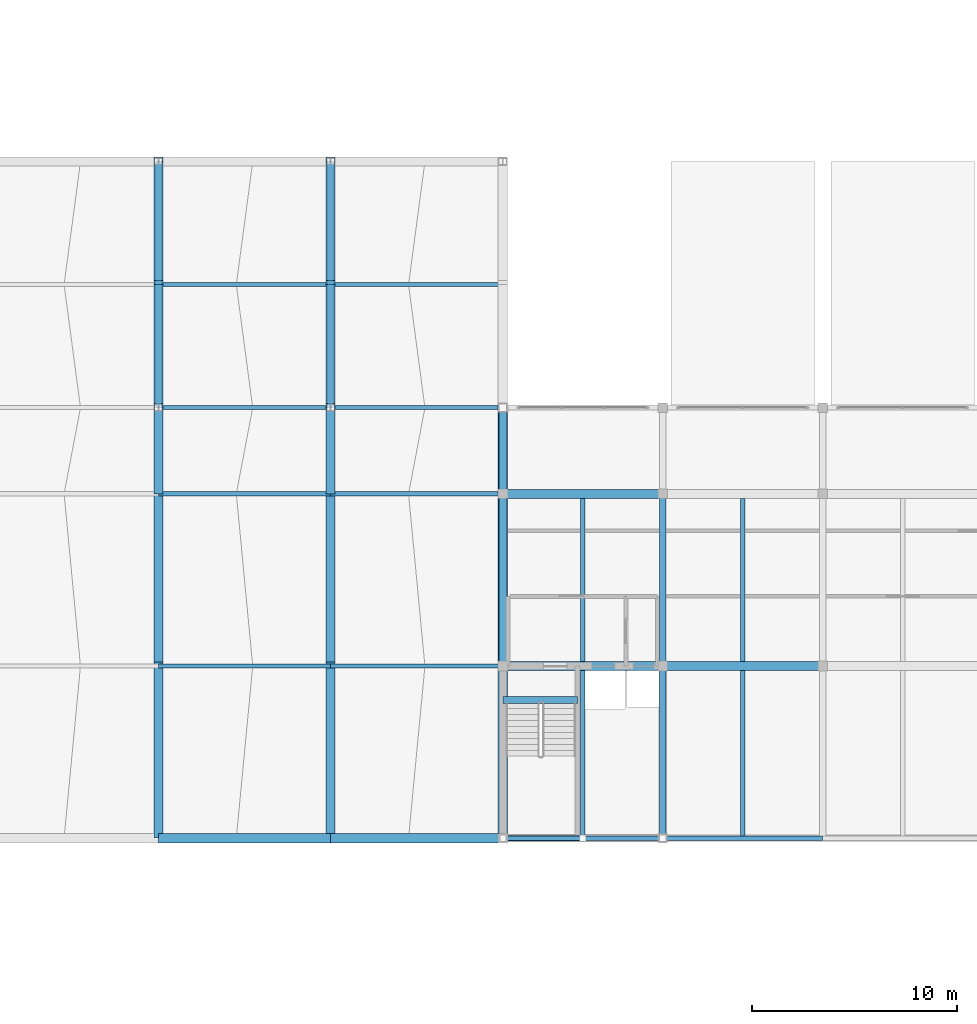
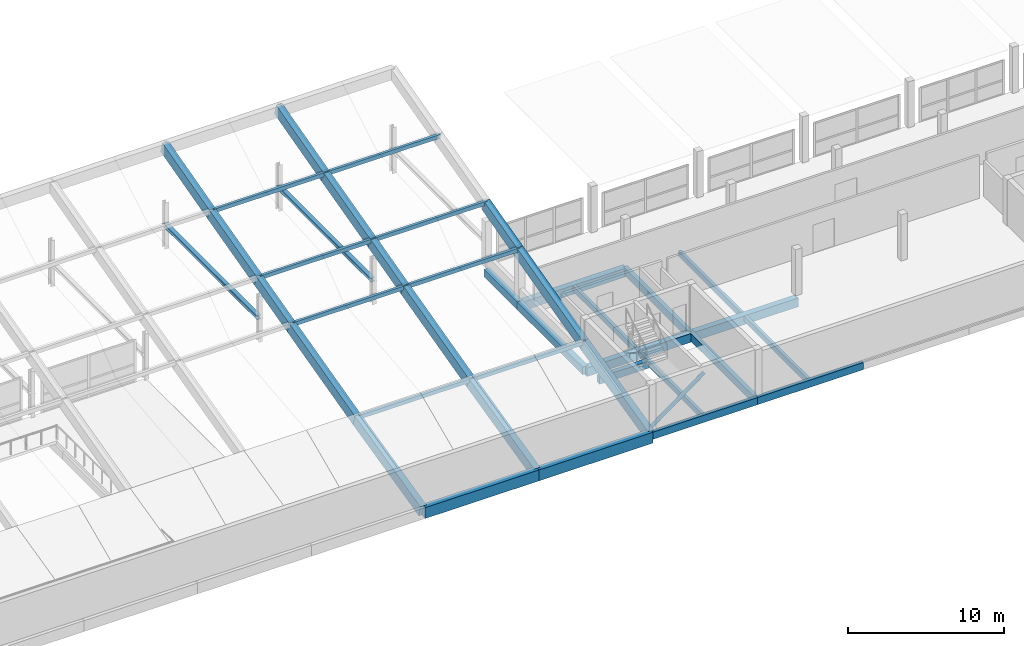
# One storey, part 28 of 51: 29 beams, 11 members.
"""IFC4 building model written with IfcOpenShell, lengths in metres."""

from ifc_helpers import new_model, si_unit, direction, frame, origin, origin_2d, place, context, subcontext, project, spatial, rectangle, hollow_rectangle, hollow_circle, i_section, extrude, material, material_profile, profile_set, type_object, element, save


model = new_model("IFC4")

# Units and contexts
model_context = context("Model", 3, precision=1e-05, world=origin(), true_north=direction((0.0, 1.0)))
body_context = subcontext(model_context, "Body", "Model", "MODEL_VIEW")
ifc_project = project(units=[si_unit("LENGTHUNIT", "METRE"), si_unit("AREAUNIT", "SQUARE_METRE"), si_unit("VOLUMEUNIT", "CUBIC_METRE"), si_unit("PLANEANGLEUNIT", "RADIAN"), si_unit("MASSUNIT", "GRAM", prefix="KILO")], contexts=[model_context])

# Site, building, storey
site_placement = place(None, origin())
site = spatial("IfcSite", under=ifc_project, at=site_placement, CompositionType="ELEMENT")
building_placement = place(site_placement, origin())
building = spatial("IfcBuilding", under=site, at=building_placement, Name="Vharandega Faculty of Natural Sciences", CompositionType="ELEMENT")
storey_placement = place(building_placement, frame((0.0, 0.0, 18.0)))
storey = spatial("IfcBuildingStorey", under=building, at=storey_placement, Name="L04", CompositionType="ELEMENT", Elevation=18.0)

# Beams
ifc_material_1 = material(Name="Glulam GL28h", Category="wood")
ifc_material_profile_1 = material_profile(ifc_material_1, rectangle(XDim=0.300048828125, YDim=0.60009765625, at=origin_2d()), Name="GL28h 300x600")
ifc_profile_set_1 = profile_set([ifc_material_profile_1], Name="Glulam GL28h")
beam_type_1 = type_object("IfcBeamType", Name="Glulam Floor Beam 300x600", PredefinedType="BEAM", material=ifc_profile_set_1)
beam_1_placement = place(storey_placement, frame((122.60009765625, 64.0, -0.5400390625), z_axis=(0.0, 1.0, 0.0), x_axis=(-1.0, 0.0, 0.0)))
element("IfcBeam", 1, at=beam_1_placement, inside=storey, type_object=beam_type_1, Name="Beam L04 16/J-K", PredefinedType="BEAM", context=body_context, shape_type="SweptSolid", body=[
    extrude(rectangle(XDim=0.300048828125, YDim=0.60009765625, at=origin_2d()), origin(), (0.0, 0.0, 1.0), 8.39990234375),
])
beam_2_placement = place(storey_placement, frame((122.60009765625, 72.39990234375, -0.5400390625), z_axis=(0.0, 1.0, 0.0), x_axis=(-1.0, 0.0, 0.0)))
element("IfcBeam", 2, at=beam_2_placement, inside=storey, type_object=beam_type_1, Name="Beam L04 16/K-L", PredefinedType="BEAM", context=body_context, shape_type="SweptSolid", body=[
    extrude(rectangle(XDim=0.300048828125, YDim=0.60009765625, at=origin_2d()), origin(), (0.0, 0.0, 1.0), 8.400146484375),
])
ifc_material_2 = material(Name="Glulam GL32h", Category="wood")
ifc_material_profile_2 = material_profile(ifc_material_2, rectangle(XDim=0.43994140625, YDim=0.679931640625, at=origin_2d()), Name="GL32h 440x680")
ifc_profile_set_2 = profile_set([ifc_material_profile_2], Name="Glulam GL32h")
beam_type_2 = type_object("IfcBeamType", Name="Glulam Girder 440x680", PredefinedType="BEAM", material=ifc_profile_set_2)
beam_3_placement = place(storey_placement, frame((114.800048828125, 72.39990234375, -0.580078125), z_axis=(1.0, 0.0, 0.0), x_axis=(0.0, 1.0, 0.0)))
element("IfcBeam", 3, at=beam_3_placement, inside=storey, type_object=beam_type_2, Name="Beam L04 K/15-16", PredefinedType="BEAM", context=body_context, shape_type="SweptSolid", body=[
    extrude(rectangle(XDim=0.43994140625, YDim=0.679931640625, at=origin_2d()), origin(), (0.0, 0.0, 1.0), 7.800048828125),
])
beam_4_placement = place(storey_placement, frame((122.60009765625, 72.39990234375, -0.580078125), z_axis=(1.0, 0.0, 0.0), x_axis=(0.0, 1.0, 0.0)))
element("IfcBeam", 4, at=beam_4_placement, inside=storey, type_object=beam_type_2, Name="Beam L04 K/16-17", PredefinedType="BEAM", context=body_context, shape_type="SweptSolid", body=[
    extrude(rectangle(XDim=0.43994140625, YDim=0.679931640625, at=origin_2d()), origin(), (0.0, 0.0, 1.0), 7.7998046875),
])
beam_5_placement = place(storey_placement, frame((114.800048828125, 80.800048828125, -0.580078125), z_axis=(1.0, 0.0, 0.0), x_axis=(0.0, 1.0, 0.0)))
element("IfcBeam", 5, at=beam_5_placement, inside=storey, type_object=beam_type_2, Name="Beam L04 L/15-16", PredefinedType="BEAM", context=body_context, shape_type="SweptSolid", body=[
    extrude(rectangle(XDim=0.43994140625, YDim=0.679931640625, at=origin_2d()), origin(), (0.0, 0.0, 1.0), 7.800048828125),
])
ifc_material_3 = material(Name="Glulam GL28h", Category="wood")
ifc_material_profile_3 = material_profile(ifc_material_3, rectangle(XDim=0.219970703125, YDim=0.43994140625, at=origin_2d()), Name="GL28h 220x440")
ifc_profile_set_3 = profile_set([ifc_material_profile_3], Name="Glulam GL28h")
beam_type_3 = type_object("IfcBeamType", Name="Glulam Secondary Joist 220x440", PredefinedType="JOIST", material=ifc_profile_set_3)
beam_6_placement = place(storey_placement, frame((118.699951171875, 64.1201171875, -0.4599609375), z_axis=(0.0, 1.0, 0.0), x_axis=(-1.0, 0.0, 0.0)))
element("IfcBeam", 6, at=beam_6_placement, inside=storey, type_object=beam_type_3, Name="Secondary Joist L04 15-16/J-K", PredefinedType="JOIST", context=body_context, shape_type="SweptSolid", body=[
    extrude(rectangle(XDim=0.219970703125, YDim=0.43994140625, at=origin_2d()), origin(), (0.0, 0.0, 1.0), 8.059814453125),
])
beam_7_placement = place(storey_placement, frame((118.699951171875, 72.6201171875, -0.4599609375), z_axis=(0.0, 1.0, 0.0), x_axis=(-1.0, 0.0, 0.0)))
element("IfcBeam", 7, at=beam_7_placement, inside=storey, type_object=beam_type_3, Name="Secondary Joist L04 15-16/K-L", PredefinedType="JOIST", context=body_context, shape_type="SweptSolid", body=[
    extrude(rectangle(XDim=0.219970703125, YDim=0.43994140625, at=origin_2d()), origin(), (0.0, 0.0, 1.0), 7.9599609375),
])
beam_8_placement = place(storey_placement, frame((126.5, 64.1201171875, -0.4599609375), z_axis=(0.0, 1.0, 0.0), x_axis=(-1.0, 0.0, 0.0)))
element("IfcBeam", 8, at=beam_8_placement, inside=storey, type_object=beam_type_3, Name="Secondary Joist L04 16-17/J-K", PredefinedType="JOIST", context=body_context, shape_type="SweptSolid", body=[
    extrude(rectangle(XDim=0.219970703125, YDim=0.43994140625, at=origin_2d()), origin(), (0.0, 0.0, 1.0), 8.059814453125),
])
beam_9_placement = place(storey_placement, frame((126.5, 72.6201171875, -0.4599609375), z_axis=(0.0, 1.0, 0.0), x_axis=(-1.0, 0.0, 0.0)))
element("IfcBeam", 9, at=beam_9_placement, inside=storey, type_object=beam_type_3, Name="Secondary Joist L04 16-17/K-L", PredefinedType="JOIST", context=body_context, shape_type="SweptSolid", body=[
    extrude(rectangle(XDim=0.219970703125, YDim=0.43994140625, at=origin_2d()), origin(), (0.0, 0.0, 1.0), 7.9599609375),
])
ifc_material_4 = material(Name="Glulam GL28h", Category="wood")
ifc_material_profile_4 = material_profile(ifc_material_4, rectangle(XDim=0.239990234375, YDim=0.56005859375, at=origin_2d()), Name="GL28h 240x560")
ifc_profile_set_4 = profile_set([ifc_material_profile_4], Name="Glulam GL28h")
beam_type_4 = type_object("IfcBeamType", Name="Glulam Spandrel Edge Beam 240x560", PredefinedType="SPANDREL", material=ifc_profile_set_4)
beam_10_placement = place(storey_placement, frame((114.800048828125, 64.0, -0.52001953125), z_axis=(1.0, 0.0, 0.0), x_axis=(0.0, 1.0, 0.0)))
element("IfcBeam", 10, at=beam_10_placement, inside=storey, type_object=beam_type_4, Name="Beam L04 J/15-16", PredefinedType="SPANDREL", context=body_context, shape_type="SweptSolid", body=[
    extrude(rectangle(XDim=0.239990234375, YDim=0.56005859375, at=origin_2d()), origin(), (0.0, 0.0, 1.0), 7.800048828125),
])
beam_11_placement = place(storey_placement, frame((122.60009765625, 64.0, -0.52001953125), z_axis=(1.0, 0.0, 0.0), x_axis=(0.0, 1.0, 0.0)))
element("IfcBeam", 11, at=beam_11_placement, inside=storey, type_object=beam_type_4, Name="Beam L04 J/16-17", PredefinedType="SPANDREL", context=body_context, shape_type="SweptSolid", body=[
    extrude(rectangle(XDim=0.239990234375, YDim=0.56005859375, at=origin_2d()), origin(), (0.0, 0.0, 1.0), 7.7998046875),
])
ifc_material_5 = material(Name="Glulam GL32h", Category="wood")
ifc_material_profile_5 = material_profile(ifc_material_5, rectangle(XDim=0.39990234375, YDim=0.60009765625, at=origin_2d()), Name="GL32h 400x600")
ifc_profile_set_5 = profile_set([ifc_material_profile_5], Name="Glulam GL32h")
beam_type_5 = type_object("IfcBeamType", Name="Glulam Spine Girder 400x600", PredefinedType="BEAM", material=ifc_profile_set_5)
beam_12_placement = place(storey_placement, frame((114.800048828125, 72.39990234375, -0.5400390625), z_axis=(0.0, 1.0, 0.0), x_axis=(-1.0, 0.0, 0.0)))
element("IfcBeam", 12, at=beam_12_placement, inside=storey, type_object=beam_type_5, Name="Beam L04 15/K-L", PredefinedType="BEAM", context=body_context, shape_type="SweptSolid", body=[
    extrude(rectangle(XDim=0.39990234375, YDim=0.60009765625, at=origin_2d()), origin(), (0.0, 0.0, 1.0), 8.400146484375),
])
beam_13_placement = place(storey_placement, frame((114.800048828125, 80.800048828125, -0.5400390625), z_axis=(0.0, 1.0, 0.0), x_axis=(-1.0, 0.0, 0.0)))
element("IfcBeam", 13, at=beam_13_placement, inside=storey, type_object=beam_type_5, Name="Beam L04 15/L-M", PredefinedType="BEAM", context=body_context, shape_type="SweptSolid", body=[
    extrude(rectangle(XDim=0.39990234375, YDim=0.60009765625, at=origin_2d()), origin(), (0.0, 0.0, 1.0), 4.199951171875),
])

# Member
ifc_material_6 = material(Name="Steel S355", Category="steel")
ifc_material_profile_6 = material_profile(ifc_material_6, hollow_circle(Radius=0.136474609375, WallThickness=0.01611328125, at=origin_2d()), Name="CHS 273x16")
ifc_profile_set_6 = profile_set([ifc_material_profile_6], Name="Steel S355")
member_type_1 = type_object("IfcMemberType", Name="Perimeter Chevron Brace CHS 273", PredefinedType="BRACE", material=ifc_profile_set_6)
member_placement = place(storey_placement, frame((114.800048828125, 64.0, 0.14990234375), z_axis=(0.806387341652, 0.0, 0.591387736788), x_axis=(0.0, 1.0, 0.0)))
element("IfcMember", 14, at=member_placement, inside=storey, type_object=member_type_1, Name="Chevron Brace J L04-1", PredefinedType="BRACE", context=body_context, shape_type="SweptSolid", body=[
    extrude(hollow_circle(Radius=0.136474609375, WallThickness=0.01611328125, at=origin_2d()), origin(), (0.0, 0.0, 1.0), 4.836181640625),
])

# Beams
ifc_material_7 = material(Name="Concrete C40/50", Category="concrete")
ifc_material_profile_7 = material_profile(ifc_material_7, rectangle(XDim=0.449951171875, YDim=0.85009765625, at=origin_2d()), Name="RC 450x850")
ifc_profile_set_7 = profile_set([ifc_material_profile_7], Name="Concrete C40/50")
beam_type_6 = type_object("IfcBeamType", Name="Shell Arch Rib Beam 450x850", PredefinedType="BEAM", material=ifc_profile_set_7)
beam_14_placement = place(storey_placement, frame((98.0, 64.098388671875, -0.573486328125), z_axis=(0.0, 0.97280712477, 0.231616704918), x_axis=(-1.0, 0.0, 0.0)))
element("IfcBeam", 15, at=beam_14_placement, inside=storey, type_object=beam_type_6, Name="Conoidal Shell Arch Rib 13-1", PredefinedType="BEAM", context=body_context, shape_type="SweptSolid", body=[
    extrude(rectangle(XDim=0.449951171875, YDim=0.85009765625, at=origin_2d()), origin(), (0.0, 0.0, 1.0), 8.635009765625),
])
beam_15_placement = place(storey_placement, frame((98.0, 72.50537109375, 1.42822265625), z_axis=(0.0, 0.968765746735, 0.247977676321), x_axis=(-1.0, 0.0, 0.0)))
element("IfcBeam", 16, at=beam_15_placement, inside=storey, type_object=beam_type_6, Name="Conoidal Shell Arch Rib 13-2", PredefinedType="BEAM", context=body_context, shape_type="SweptSolid", body=[
    extrude(rectangle(XDim=0.449951171875, YDim=0.85009765625, at=origin_2d()), origin(), (0.0, 0.0, 1.0), 8.670654296875),
])
beam_16_placement = place(storey_placement, frame((98.0, 80.90771484375, 3.578857421875), z_axis=(0.0, 0.967365988301, 0.253383197308), x_axis=(-1.0, 0.0, 0.0)))
element("IfcBeam", 17, at=beam_16_placement, inside=storey, type_object=beam_type_6, Name="Conoidal Shell Arch Rib 13-3", PredefinedType="BEAM", context=body_context, shape_type="SweptSolid", body=[
    extrude(rectangle(XDim=0.449951171875, YDim=0.85009765625, at=origin_2d()), origin(), (0.0, 0.0, 1.0), 4.341552734375),
])
beam_17_placement = place(storey_placement, frame((98.0, 85.106201171875, 4.678466796875), z_axis=(0.0, 0.968212411492, 0.250129418968), x_axis=(-1.0, 0.0, 0.0)))
element("IfcBeam", 18, at=beam_17_placement, inside=storey, type_object=beam_type_6, Name="Conoidal Shell Arch Rib 13-4", PredefinedType="BEAM", context=body_context, shape_type="SweptSolid", body=[
    extrude(rectangle(XDim=0.449951171875, YDim=0.85009765625, at=origin_2d()), origin(), (0.0, 0.0, 1.0), 6.197021484375),
])
beam_18_placement = place(storey_placement, frame((98.0, 91.109619140625, 6.229248046875), z_axis=(0.0, 0.966231024199, 0.25767733287), x_axis=(-1.0, 0.0, 0.0)))
element("IfcBeam", 19, at=beam_18_placement, inside=storey, type_object=beam_type_6, Name="Conoidal Shell Arch Rib 13-5", PredefinedType="BEAM", context=body_context, shape_type="SweptSolid", body=[
    extrude(rectangle(XDim=0.449951171875, YDim=0.85009765625, at=origin_2d()), origin(), (0.0, 0.0, 1.0), 6.209716796875),
])
beam_19_placement = place(storey_placement, frame((106.39990234375, 64.098388671875, -0.573486328125), z_axis=(0.0, 0.97280712477, 0.231616704918), x_axis=(-1.0, 0.0, 0.0)))
element("IfcBeam", 20, at=beam_19_placement, inside=storey, type_object=beam_type_6, Name="Conoidal Shell Arch Rib 14-1", PredefinedType="BEAM", context=body_context, shape_type="SweptSolid", body=[
    extrude(rectangle(XDim=0.449951171875, YDim=0.85009765625, at=origin_2d()), origin(), (0.0, 0.0, 1.0), 8.635009765625),
])
beam_20_placement = place(storey_placement, frame((106.39990234375, 72.50537109375, 1.42822265625), z_axis=(0.0, 0.968765746735, 0.247977676321), x_axis=(-1.0, 0.0, 0.0)))
element("IfcBeam", 21, at=beam_20_placement, inside=storey, type_object=beam_type_6, Name="Conoidal Shell Arch Rib 14-2", PredefinedType="BEAM", context=body_context, shape_type="SweptSolid", body=[
    extrude(rectangle(XDim=0.449951171875, YDim=0.85009765625, at=origin_2d()), origin(), (0.0, 0.0, 1.0), 8.670654296875),
])
beam_21_placement = place(storey_placement, frame((106.39990234375, 80.90771484375, 3.578857421875), z_axis=(0.0, 0.967365988301, 0.253383197308), x_axis=(-1.0, 0.0, 0.0)))
element("IfcBeam", 22, at=beam_21_placement, inside=storey, type_object=beam_type_6, Name="Conoidal Shell Arch Rib 14-3", PredefinedType="BEAM", context=body_context, shape_type="SweptSolid", body=[
    extrude(rectangle(XDim=0.449951171875, YDim=0.85009765625, at=origin_2d()), origin(), (0.0, 0.0, 1.0), 4.341552734375),
])
beam_22_placement = place(storey_placement, frame((106.39990234375, 85.106201171875, 4.678466796875), z_axis=(0.0, 0.968212411492, 0.250129418968), x_axis=(-1.0, 0.0, 0.0)))
element("IfcBeam", 23, at=beam_22_placement, inside=storey, type_object=beam_type_6, Name="Conoidal Shell Arch Rib 14-4", PredefinedType="BEAM", context=body_context, shape_type="SweptSolid", body=[
    extrude(rectangle(XDim=0.449951171875, YDim=0.85009765625, at=origin_2d()), origin(), (0.0, 0.0, 1.0), 6.197021484375),
])
beam_23_placement = place(storey_placement, frame((106.39990234375, 91.109619140625, 6.229248046875), z_axis=(0.0, 0.966231024199, 0.25767733287), x_axis=(-1.0, 0.0, 0.0)))
element("IfcBeam", 24, at=beam_23_placement, inside=storey, type_object=beam_type_6, Name="Conoidal Shell Arch Rib 14-5", PredefinedType="BEAM", context=body_context, shape_type="SweptSolid", body=[
    extrude(rectangle(XDim=0.449951171875, YDim=0.85009765625, at=origin_2d()), origin(), (0.0, 0.0, 1.0), 6.209716796875),
])
beam_24_placement = place(storey_placement, frame((114.800048828125, 64.098388671875, -0.573486328125), z_axis=(0.0, 0.97280712477, 0.231616704918), x_axis=(-1.0, 0.0, 0.0)))
element("IfcBeam", 25, at=beam_24_placement, inside=storey, type_object=beam_type_6, Name="Conoidal Shell Arch Rib 15-1", PredefinedType="BEAM", context=body_context, shape_type="SweptSolid", body=[
    extrude(rectangle(XDim=0.449951171875, YDim=0.85009765625, at=origin_2d()), origin(), (0.0, 0.0, 1.0), 8.635009765625),
])
beam_25_placement = place(storey_placement, frame((114.800048828125, 72.50537109375, 1.42822265625), z_axis=(0.0, 0.968765746735, 0.247977676321), x_axis=(-1.0, 0.0, 0.0)))
element("IfcBeam", 26, at=beam_25_placement, inside=storey, type_object=beam_type_6, Name="Conoidal Shell Arch Rib 15-2", PredefinedType="BEAM", context=body_context, shape_type="SweptSolid", body=[
    extrude(rectangle(XDim=0.449951171875, YDim=0.85009765625, at=origin_2d()), origin(), (0.0, 0.0, 1.0), 8.670654296875),
])
beam_26_placement = place(storey_placement, frame((114.800048828125, 80.90771484375, 3.578857421875), z_axis=(0.0, 0.967365988301, 0.253383197308), x_axis=(-1.0, 0.0, 0.0)))
element("IfcBeam", 27, at=beam_26_placement, inside=storey, type_object=beam_type_6, Name="Conoidal Shell Arch Rib 15-3", PredefinedType="BEAM", context=body_context, shape_type="SweptSolid", body=[
    extrude(rectangle(XDim=0.449951171875, YDim=0.85009765625, at=origin_2d()), origin(), (0.0, 0.0, 1.0), 4.341552734375),
])

# Members
ifc_material_8 = material(Name="Steel S355", Category="steel")
ifc_material_profile_8 = material_profile(ifc_material_8, i_section(OverallWidth=0.300048828125, OverallDepth=0.2900390625, WebThickness=0.008544921875, FlangeThickness=0.013916015625, FilletRadius=0.027099609375, at=origin_2d()), Name="HEA 300")
ifc_profile_set_8 = profile_set([ifc_material_profile_8], Name="Steel S355")
member_type_2 = type_object("IfcMemberType", Name="Shell Arch Tie HEA 300", PredefinedType="CHORD", material=ifc_profile_set_8)
for number, where, z_axis, x_axis, name in (
    (28, (98.0, 85.0, 1.800048828125), (0.0, 1.0, 0.0), (-1.0, 0.0, 0.0), "Conoidal Shell Tie 13"),
    (29, (106.39990234375, 85.0, 1.800048828125), (0.0, 1.0, 0.0), (-1.0, 0.0, 0.0), "Conoidal Shell Tie 14"),
):
    element("IfcMember", number, at=place(storey_placement, frame(where, z_axis=z_axis, x_axis=x_axis)), inside=storey, type_object=member_type_2, Name=name, PredefinedType="CHORD", context=body_context, shape_type="SweptSolid", body=[
        extrude(i_section(OverallWidth=0.300048828125, OverallDepth=0.2900390625, WebThickness=0.008544921875, FlangeThickness=0.013916015625, FilletRadius=0.027099609375, at=origin_2d()), origin(), (0.0, 0.0, 1.0), 12.0),
    ])

# Beams
ifc_material_9 = material(Name="Concrete C40/50", Category="concrete")
ifc_material_profile_9 = material_profile(ifc_material_9, rectangle(XDim=0.449951171875, YDim=0.85009765625, at=origin_2d()), Name="RC 450x850")
ifc_profile_set_9 = profile_set([ifc_material_profile_9], Name="Concrete C40/50")
beam_type_7 = type_object("IfcBeamType", Name="Shell Edge Beam 450x850", PredefinedType="BEAM", material=ifc_profile_set_9)
beam_27_placement = place(storey_placement, frame((98.0, 64.0, -0.5849609375), z_axis=(1.0, 0.0, 0.0), x_axis=(0.0, 1.0, 0.0)))
element("IfcBeam", 30, at=beam_27_placement, inside=storey, type_object=beam_type_7, Name="Shell Edge Beam B6-0", PredefinedType="BEAM", context=body_context, shape_type="SweptSolid", body=[
    extrude(rectangle(XDim=0.449951171875, YDim=0.85009765625, at=origin_2d()), origin(), (0.0, 0.0, 1.0), 8.39990234375),
])
beam_28_placement = place(storey_placement, frame((106.39990234375, 64.0, -0.5849609375), z_axis=(1.0, 0.0, 0.0), x_axis=(0.0, 1.0, 0.0)))
element("IfcBeam", 31, at=beam_28_placement, inside=storey, type_object=beam_type_7, Name="Shell Edge Beam B7-0", PredefinedType="BEAM", context=body_context, shape_type="SweptSolid", body=[
    extrude(rectangle(XDim=0.449951171875, YDim=0.85009765625, at=origin_2d()), origin(), (0.0, 0.0, 1.0), 8.400146484375),
])

# Members
ifc_material_10 = material(Name="Steel S355", Category="steel")
ifc_material_profile_10 = material_profile(ifc_material_10, hollow_rectangle(XDim=0.199951171875, YDim=0.300048828125, WallThickness=0.012451171875, at=origin_2d()), Name="RHS 300x200x12.5")
ifc_profile_set_10 = profile_set([ifc_material_profile_10], Name="Steel S355")
member_type_3 = type_object("IfcMemberType", Name="Shell Roof Purlin RHS 300x200", PredefinedType="PURLIN", material=ifc_profile_set_10)
for number, where, z_axis, x_axis, name in (
    (32, (98.0, 72.39990234375, 1.68994140625), (1.0, 0.0, 0.0), (0.0, 1.0, 0.0), "Shell Roof Purlin B6-1"),
    (33, (98.0, 80.800048828125, 3.840087890625), (1.0, 0.0, 0.0), (0.0, 1.0, 0.0), "Shell Roof Purlin B6-2"),
    (34, (98.0, 85.0, 4.93994140625), (1.0, 0.0, 0.0), (0.0, 1.0, 0.0), "Shell Roof Purlin B6-3"),
    (35, (98.0, 91.0, 6.489990234375), (1.0, 0.0, 0.0), (0.0, 1.0, 0.0), "Shell Roof Purlin B6-4"),
):
    element("IfcMember", number, at=place(storey_placement, frame(where, z_axis=z_axis, x_axis=x_axis)), inside=storey, type_object=member_type_3, Name=name, PredefinedType="PURLIN", context=body_context, shape_type="SweptSolid", body=[
        extrude(hollow_rectangle(XDim=0.199951171875, YDim=0.300048828125, WallThickness=0.012451171875, at=origin_2d()), origin(), (0.0, 0.0, 1.0), 8.39990234375),
    ])
for number, where, z_axis, x_axis, name in (
    (36, (106.39990234375, 72.39990234375, 1.68994140625), (1.0, 0.0, 0.0), (0.0, 1.0, 0.0), "Shell Roof Purlin B7-1"),
    (37, (106.39990234375, 80.800048828125, 3.840087890625), (1.0, 0.0, 0.0), (0.0, 1.0, 0.0), "Shell Roof Purlin B7-2"),
    (38, (106.39990234375, 85.0, 4.93994140625), (1.0, 0.0, 0.0), (0.0, 1.0, 0.0), "Shell Roof Purlin B7-3"),
    (39, (106.39990234375, 91.0, 6.489990234375), (1.0, 0.0, 0.0), (0.0, 1.0, 0.0), "Shell Roof Purlin B7-4"),
):
    element("IfcMember", number, at=place(storey_placement, frame(where, z_axis=z_axis, x_axis=x_axis)), inside=storey, type_object=member_type_3, Name=name, PredefinedType="PURLIN", context=body_context, shape_type="SweptSolid", body=[
        extrude(hollow_rectangle(XDim=0.199951171875, YDim=0.300048828125, WallThickness=0.012451171875, at=origin_2d()), origin(), (0.0, 0.0, 1.0), 8.400146484375),
    ])

# Beam
ifc_material_11 = material(Name="Concrete C40/50", Category="concrete")
ifc_material_profile_11 = material_profile(ifc_material_11, rectangle(XDim=0.35009765625, YDim=0.550048828125, at=origin_2d()), Name="RC 350x550")
ifc_profile_set_11 = profile_set([ifc_material_profile_11], Name="Concrete C40/50")
beam_type_8 = type_object("IfcBeamType", Name="Stair Header Trimmer Beam 350x550", PredefinedType="BEAM", material=ifc_profile_set_11)
beam_29_placement = place(storey_placement, frame((114.800048828125, 70.75, -0.27490234375), z_axis=(1.0, 0.0, 0.0), x_axis=(0.0, 1.0, 0.0)))
element("IfcBeam", 40, at=beam_29_placement, inside=storey, type_object=beam_type_8, Name="Stair Landing Trimmer Beam C1 L04", PredefinedType="BEAM", context=body_context, shape_type="SweptSolid", body=[
    extrude(rectangle(XDim=0.35009765625, YDim=0.550048828125, at=origin_2d()), origin(), (0.0, 0.0, 1.0), 3.639892578125),
])

save(model, "model.ifc")
